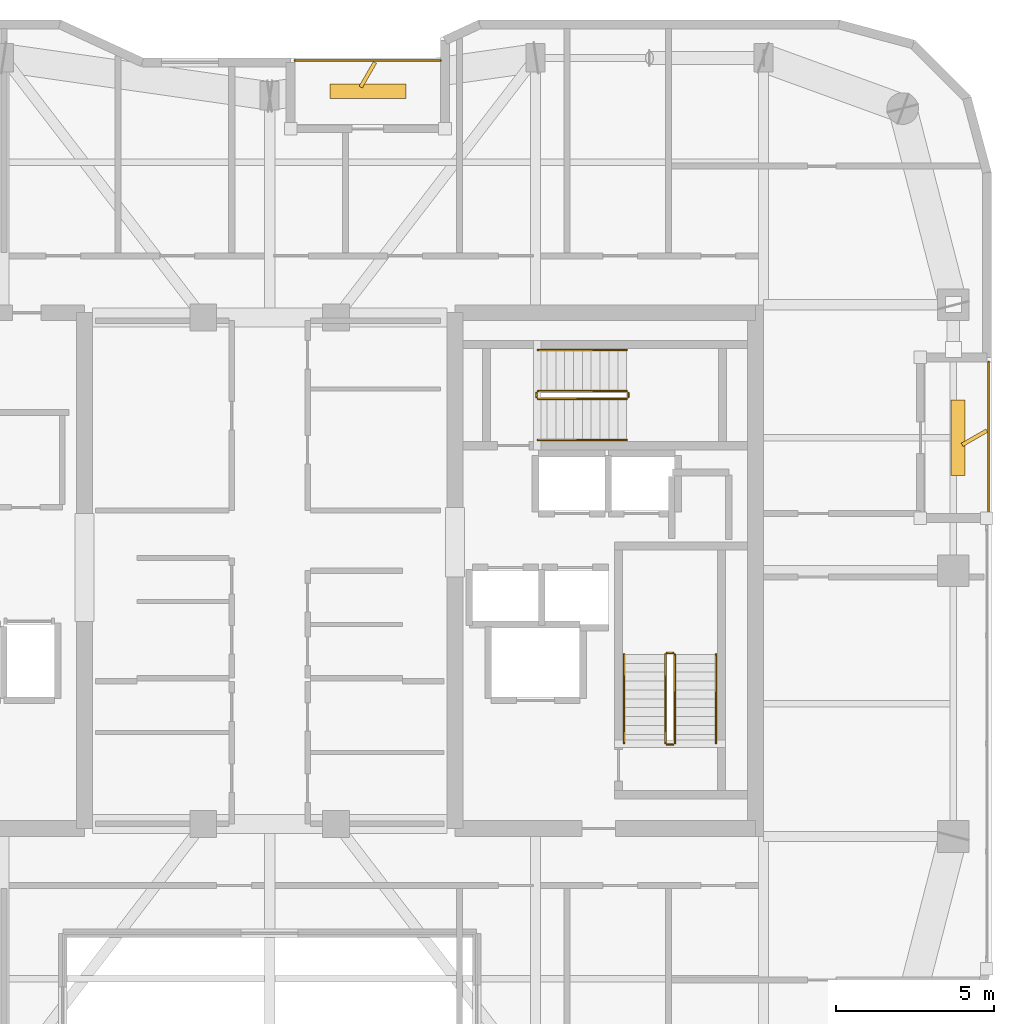
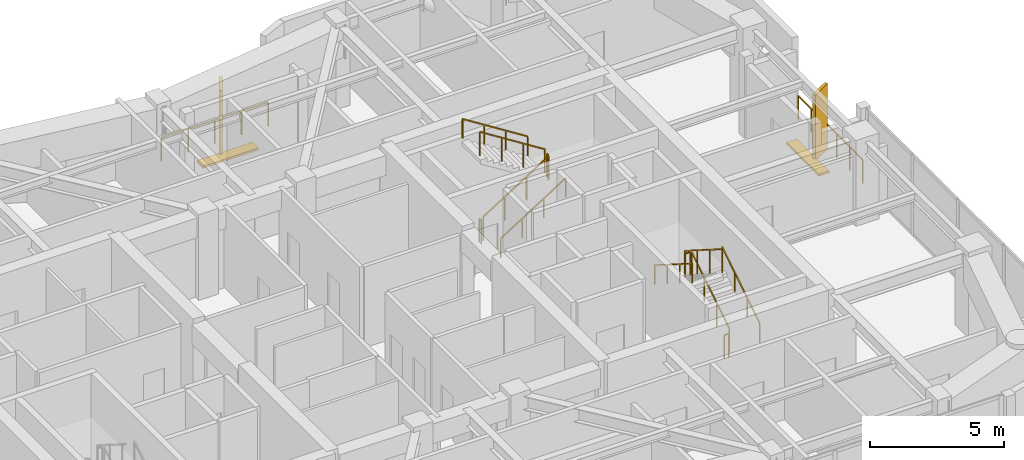
# One storey, part 16 of 16: 14 railings, 4 shading devices.
"""IFC4 building model written with IfcOpenShell, lengths in metres."""

from ifc_helpers import new_model, si_unit, direction, frame, origin, origin_2d, place, context, subcontext, project, spatial, rectangle, extrude, material, type_object, element, save


model = new_model("IFC4")

# Units and contexts
model_context = context("Model", 3, precision=1e-05, world=origin(), true_north=direction((0.0, 1.0)))
body_context = subcontext(model_context, "Body", "Model", "MODEL_VIEW")
ifc_project = project(units=[si_unit("LENGTHUNIT", "METRE"), si_unit("AREAUNIT", "SQUARE_METRE"), si_unit("VOLUMEUNIT", "CUBIC_METRE"), si_unit("PLANEANGLEUNIT", "RADIAN"), si_unit("MASSUNIT", "GRAM", prefix="KILO")], contexts=[model_context])

# Site, building, storey
site_placement = place(None, origin())
site = spatial("IfcSite", under=ifc_project, at=site_placement, CompositionType="ELEMENT")
building_placement = place(site_placement, origin())
building = spatial("IfcBuilding", under=site, at=building_placement, Name="Kiyonajd Concourse Tower", CompositionType="ELEMENT")
storey_placement = place(building_placement, frame((0.0, 0.0, 298.5)))
storey = spatial("IfcBuildingStorey", under=building, at=storey_placement, Name="L75", CompositionType="ELEMENT", Elevation=298.5)

# Railings
ifc_material_1 = material(Name="Thermally Broken Anodised Aluminium", Category="aluminium")
railing_type_1 = type_object("IfcRailingType", Name="RL-GRD-LOG", PredefinedType="GUARDRAIL", material=ifc_material_1)
railing_1_placement = place(storey_placement, frame((53.39990234375, 52.1201171875, 0.0)))
element("IfcRailing", 1, at=railing_1_placement, inside=storey, type_object=railing_type_1, Name="L75 Engawa Loggia Perimeter Guard LOG-N", PredefinedType="GUARDRAIL", context=body_context, shape_type="SweptSolid", body=[
    extrude(rectangle(XDim=0.048095703125, YDim=0.048095703125, at=origin_2d()), frame((0.0, 0.0, 1.076171875), z_axis=(-1.0, 0.0, 0.0), x_axis=(0.0, -1.0, 0.0)), (0.0, 0.0, 1.0), 4.599853515625),
    extrude(rectangle(XDim=0.0419921875, YDim=0.0419921875, at=origin_2d()), origin(), (0.0, 0.0, 1.0), 1.052001953125),
    extrude(rectangle(XDim=0.0419921875, YDim=0.0419921875, at=origin_2d()), frame((-1.14990234375, 0.0, 0.0)), (0.0, 0.0, 1.0), 1.052001953125),
    extrude(rectangle(XDim=0.0419921875, YDim=0.0419921875, at=origin_2d()), frame((-2.2998046875, 0.0, 0.0)), (0.0, 0.0, 1.0), 1.052001953125),
    extrude(rectangle(XDim=0.0419921875, YDim=0.0419921875, at=origin_2d()), frame((-3.449951171875, 0.0, 0.0)), (0.0, 0.0, 1.0), 1.052001953125),
    extrude(rectangle(XDim=0.0419921875, YDim=0.0419921875, at=origin_2d()), frame((-4.599853515625, 0.0, 0.0)), (0.0, 0.0, 1.0), 1.052001953125),
])
railing_2_placement = place(storey_placement, frame((70.719970703125, 37.800048828125, 0.0)))
element("IfcRailing", 2, at=railing_2_placement, inside=storey, type_object=railing_type_1, Name="L75 Engawa Loggia Perimeter Guard LOG-E", PredefinedType="GUARDRAIL", context=body_context, shape_type="SweptSolid", body=[
    extrude(rectangle(XDim=0.048095703125, YDim=0.048095703125, at=origin_2d()), frame((0.0, 0.0, 1.076171875), z_axis=(0.0, 1.0, 0.0), x_axis=(-1.0, 0.0, 0.0)), (0.0, 0.0, 1.0), 4.800048828125),
    extrude(rectangle(XDim=0.0419921875, YDim=0.0419921875, at=origin_2d()), origin(), (0.0, 0.0, 1.0), 1.052001953125),
    extrude(rectangle(XDim=0.0419921875, YDim=0.0419921875, at=origin_2d()), frame((0.0, 0.9599609375, 0.0)), (0.0, 0.0, 1.0), 1.052001953125),
    extrude(rectangle(XDim=0.0419921875, YDim=0.0419921875, at=origin_2d()), frame((0.0, 1.919921875, 0.0)), (0.0, 0.0, 1.0), 1.052001953125),
    extrude(rectangle(XDim=0.0419921875, YDim=0.0419921875, at=origin_2d()), frame((0.0, 2.880126953125, 0.0)), (0.0, 0.0, 1.0), 1.052001953125),
    extrude(rectangle(XDim=0.0419921875, YDim=0.0419921875, at=origin_2d()), frame((0.0, 3.840087890625, 0.0)), (0.0, 0.0, 1.0), 1.052001953125),
    extrude(rectangle(XDim=0.0419921875, YDim=0.0419921875, at=origin_2d()), frame((0.0, 4.800048828125, 0.0)), (0.0, 0.0, 1.0), 1.052001953125),
])
ifc_material_2 = material(Name="Steel ASTM A500 Grade C", Category="steel")
railing_type_2 = type_object("IfcRailingType", Name="RL-GRD-STR", PredefinedType="GUARDRAIL", material=ifc_material_2)
railing_3_placement = place(storey_placement, frame((60.800048828125, 30.550048828125, 0.17724609375)))
element("IfcRailing", 3, at=railing_3_placement, inside=storey, type_object=railing_type_2, Name="L75 ST2 stair guard 1", PredefinedType="GUARDRAIL", context=body_context, shape_type="SweptSolid", body=[
    extrude(rectangle(XDim=0.048095703125, YDim=0.048095703125, at=origin_2d()), frame((0.0, 0.0, 1.076171875), z_axis=(0.0, 0.844908973607, 0.534910110503), x_axis=(-1.0, 0.0, 0.0)), (0.0, 0.0, 1.0), 3.31396484375),
    extrude(rectangle(XDim=0.0419921875, YDim=0.0419921875, at=origin_2d()), origin(), (0.0, 0.0, 1.0), 1.052001953125),
    extrude(rectangle(XDim=0.0419921875, YDim=0.0419921875, at=origin_2d()), frame((0.0, 0.933349609375, 0.5908203125)), (0.0, 0.0, 1.0), 1.052001953125),
    extrude(rectangle(XDim=0.0419921875, YDim=0.0419921875, at=origin_2d()), frame((0.0, 1.86669921875, 1.181884765625)), (0.0, 0.0, 1.0), 1.052001953125),
    extrude(rectangle(XDim=0.0419921875, YDim=0.0419921875, at=origin_2d()), frame((0.0, 2.800048828125, 1.772705078125)), (0.0, 0.0, 1.0), 1.052001953125),
])
railing_4_placement = place(storey_placement, frame((60.75, 33.39990234375, 1.949951171875)))
element("IfcRailing", 4, at=railing_4_placement, inside=storey, type_object=railing_type_2, Name="L75 ST2 stair guard 2", PredefinedType="GUARDRAIL", context=body_context, shape_type="SweptSolid", body=[
    extrude(rectangle(XDim=0.048095703125, YDim=0.048095703125, at=origin_2d()), frame((0.0, 0.0, 1.076171875), z_axis=(-1.0, 0.0, 0.0), x_axis=(0.0, -1.0, 0.0)), (0.0, 0.0, 1.0), 0.199951171875),
    extrude(rectangle(XDim=0.0419921875, YDim=0.0419921875, at=origin_2d()), origin(), (0.0, 0.0, 1.0), 1.052001953125),
    extrude(rectangle(XDim=0.0419921875, YDim=0.0419921875, at=origin_2d()), frame((-0.199951171875, 0.0, 0.0)), (0.0, 0.0, 1.0), 1.052001953125),
])
railing_5_placement = place(storey_placement, frame((60.5, 33.35009765625, 2.127197265625)))
element("IfcRailing", 5, at=railing_5_placement, inside=storey, type_object=railing_type_2, Name="L75 ST2 stair guard 3", PredefinedType="GUARDRAIL", context=body_context, shape_type="SweptSolid", body=[
    extrude(rectangle(XDim=0.048095703125, YDim=0.048095703125, at=origin_2d()), frame((0.0, 0.0, 1.076171875), z_axis=(0.0, -0.844908973607, 0.534910110503), x_axis=(1.0, 0.0, 0.0)), (0.0, 0.0, 1.0), 3.31396484375),
    extrude(rectangle(XDim=0.0419921875, YDim=0.0419921875, at=origin_2d()), origin(), (0.0, 0.0, 1.0), 1.052001953125),
    extrude(rectangle(XDim=0.0419921875, YDim=0.0419921875, at=origin_2d()), frame((0.0, -0.933349609375, 0.5908203125)), (0.0, 0.0, 1.0), 1.052001953125),
    extrude(rectangle(XDim=0.0419921875, YDim=0.0419921875, at=origin_2d()), frame((0.0, -1.86669921875, 1.181884765625)), (0.0, 0.0, 1.0), 1.052001953125),
    extrude(rectangle(XDim=0.0419921875, YDim=0.0419921875, at=origin_2d()), frame((0.0, -2.800048828125, 1.772705078125)), (0.0, 0.0, 1.0), 1.052001953125),
])
railing_6_placement = place(storey_placement, frame((60.75, 30.5, 0.0)))
element("IfcRailing", 6, at=railing_6_placement, inside=storey, type_object=railing_type_2, Name="L75 ST2 stair guard 4", PredefinedType="GUARDRAIL", context=body_context, shape_type="SweptSolid", body=[
    extrude(rectangle(XDim=0.048095703125, YDim=0.048095703125, at=origin_2d()), frame((0.0, 0.0, 1.076171875), z_axis=(-1.0, 0.0, 0.0), x_axis=(0.0, -1.0, 0.0)), (0.0, 0.0, 1.0), 0.199951171875),
    extrude(rectangle(XDim=0.0419921875, YDim=0.0419921875, at=origin_2d()), origin(), (0.0, 0.0, 1.0), 1.052001953125),
    extrude(rectangle(XDim=0.0419921875, YDim=0.0419921875, at=origin_2d()), frame((-0.199951171875, 0.0, 0.0)), (0.0, 0.0, 1.0), 1.052001953125),
])
railing_7_placement = place(storey_placement, frame((56.47998046875, 41.429931640625, 0.17724609375)))
element("IfcRailing", 7, at=railing_7_placement, inside=storey, type_object=railing_type_2, Name="L75 ST3 stair guard 1", PredefinedType="GUARDRAIL", context=body_context, shape_type="SweptSolid", body=[
    extrude(rectangle(XDim=0.048095703125, YDim=0.048095703125, at=origin_2d()), frame((0.0, 0.0, 1.076171875), z_axis=(0.844908973607, 0.0, 0.534910110503), x_axis=(0.0, 1.0, 0.0)), (0.0, 0.0, 1.0), 3.31396484375),
    extrude(rectangle(XDim=0.0419921875, YDim=0.0419921875, at=origin_2d()), origin(), (0.0, 0.0, 1.0), 1.052001953125),
    extrude(rectangle(XDim=0.0419921875, YDim=0.0419921875, at=origin_2d()), frame((0.933349609375, 0.0, 0.5908203125)), (0.0, 0.0, 1.0), 1.052001953125),
    extrude(rectangle(XDim=0.0419921875, YDim=0.0419921875, at=origin_2d()), frame((1.86669921875, 0.0, 1.181884765625)), (0.0, 0.0, 1.0), 1.052001953125),
    extrude(rectangle(XDim=0.0419921875, YDim=0.0419921875, at=origin_2d()), frame((2.800048828125, 0.0, 1.772705078125)), (0.0, 0.0, 1.0), 1.052001953125),
])
railing_8_placement = place(storey_placement, frame((59.330078125, 41.47998046875, 1.949951171875)))
element("IfcRailing", 8, at=railing_8_placement, inside=storey, type_object=railing_type_2, Name="L75 ST3 stair guard 2", PredefinedType="GUARDRAIL", context=body_context, shape_type="SweptSolid", body=[
    extrude(rectangle(XDim=0.048095703125, YDim=0.048095703125, at=origin_2d()), frame((0.0, 0.0, 1.076171875), z_axis=(0.0, 1.0, 0.0), x_axis=(-1.0, 0.0, 0.0)), (0.0, 0.0, 1.0), 0.14013671875),
    extrude(rectangle(XDim=0.0419921875, YDim=0.0419921875, at=origin_2d()), origin(), (0.0, 0.0, 1.0), 1.052001953125),
    extrude(rectangle(XDim=0.0419921875, YDim=0.0419921875, at=origin_2d()), frame((0.0, 0.14013671875, 0.0)), (0.0, 0.0, 1.0), 1.052001953125),
])
railing_9_placement = place(storey_placement, frame((59.280029296875, 41.669921875, 2.127197265625)))
element("IfcRailing", 9, at=railing_9_placement, inside=storey, type_object=railing_type_2, Name="L75 ST3 stair guard 3", PredefinedType="GUARDRAIL", context=body_context, shape_type="SweptSolid", body=[
    extrude(rectangle(XDim=0.048095703125, YDim=0.048095703125, at=origin_2d()), frame((0.0, 0.0, 1.076171875), z_axis=(-0.844908973607, 0.0, 0.534910110503), x_axis=(0.0, -1.0, 0.0)), (0.0, 0.0, 1.0), 3.31396484375),
    extrude(rectangle(XDim=0.0419921875, YDim=0.0419921875, at=origin_2d()), origin(), (0.0, 0.0, 1.0), 1.052001953125),
    extrude(rectangle(XDim=0.0419921875, YDim=0.0419921875, at=origin_2d()), frame((-0.933349609375, 0.0, 0.5908203125)), (0.0, 0.0, 1.0), 1.052001953125),
    extrude(rectangle(XDim=0.0419921875, YDim=0.0419921875, at=origin_2d()), frame((-1.86669921875, 0.0, 1.181884765625)), (0.0, 0.0, 1.0), 1.052001953125),
    extrude(rectangle(XDim=0.0419921875, YDim=0.0419921875, at=origin_2d()), frame((-2.800048828125, 0.0, 1.772705078125)), (0.0, 0.0, 1.0), 1.052001953125),
])
railing_10_placement = place(storey_placement, frame((56.429931640625, 41.47998046875, 0.0)))
element("IfcRailing", 10, at=railing_10_placement, inside=storey, type_object=railing_type_2, Name="L75 ST3 stair guard 4", PredefinedType="GUARDRAIL", context=body_context, shape_type="SweptSolid", body=[
    extrude(rectangle(XDim=0.048095703125, YDim=0.048095703125, at=origin_2d()), frame((0.0, 0.0, 1.076171875), z_axis=(0.0, 1.0, 0.0), x_axis=(-1.0, 0.0, 0.0)), (0.0, 0.0, 1.0), 0.14013671875),
    extrude(rectangle(XDim=0.0419921875, YDim=0.0419921875, at=origin_2d()), origin(), (0.0, 0.0, 1.0), 1.052001953125),
    extrude(rectangle(XDim=0.0419921875, YDim=0.0419921875, at=origin_2d()), frame((0.0, 0.14013671875, 0.0)), (0.0, 0.0, 1.0), 1.052001953125),
])
ifc_material_3 = material(Name="Brushed Stainless Steel Cab Assembly", Category="steel")
railing_type_3 = type_object("IfcRailingType", Name="RL-HND-900", PredefinedType="HANDRAIL", material=ifc_material_3)
railing_11_placement = place(storey_placement, frame((62.10009765625, 30.550048828125, 0.17724609375)))
element("IfcRailing", 11, at=railing_11_placement, inside=storey, type_object=railing_type_3, Name="L75 ST2 stair handrail 1", PredefinedType="HANDRAIL", context=body_context, shape_type="SweptSolid", body=[
    extrude(rectangle(XDim=0.048095703125, YDim=0.048095703125, at=origin_2d()), frame((0.0, 0.0, 0.8759765625), z_axis=(0.0, 0.844908973607, 0.534910110503), x_axis=(-1.0, 0.0, 0.0)), (0.0, 0.0, 1.0), 3.31396484375),
    extrude(rectangle(XDim=0.0419921875, YDim=0.0419921875, at=origin_2d()), origin(), (0.0, 0.0, 1.0), 0.851806640625),
    extrude(rectangle(XDim=0.0419921875, YDim=0.0419921875, at=origin_2d()), frame((0.0, 0.933349609375, 0.5908203125)), (0.0, 0.0, 1.0), 0.851806640625),
    extrude(rectangle(XDim=0.0419921875, YDim=0.0419921875, at=origin_2d()), frame((0.0, 1.86669921875, 1.181884765625)), (0.0, 0.0, 1.0), 0.851806640625),
    extrude(rectangle(XDim=0.0419921875, YDim=0.0419921875, at=origin_2d()), frame((0.0, 2.800048828125, 1.772705078125)), (0.0, 0.0, 1.0), 0.851806640625),
])
railing_12_placement = place(storey_placement, frame((59.199951171875, 33.35009765625, 2.127197265625)))
element("IfcRailing", 12, at=railing_12_placement, inside=storey, type_object=railing_type_3, Name="L75 ST2 stair handrail 2", PredefinedType="HANDRAIL", context=body_context, shape_type="SweptSolid", body=[
    extrude(rectangle(XDim=0.048095703125, YDim=0.048095703125, at=origin_2d()), frame((0.0, 0.0, 0.8759765625), z_axis=(0.0, -0.844908973607, 0.534910110503), x_axis=(1.0, 0.0, 0.0)), (0.0, 0.0, 1.0), 3.31396484375),
    extrude(rectangle(XDim=0.0419921875, YDim=0.0419921875, at=origin_2d()), origin(), (0.0, 0.0, 1.0), 0.851806640625),
    extrude(rectangle(XDim=0.0419921875, YDim=0.0419921875, at=origin_2d()), frame((0.0, -0.933349609375, 0.5908203125)), (0.0, 0.0, 1.0), 0.851806640625),
    extrude(rectangle(XDim=0.0419921875, YDim=0.0419921875, at=origin_2d()), frame((0.0, -1.86669921875, 1.181884765625)), (0.0, 0.0, 1.0), 0.851806640625),
    extrude(rectangle(XDim=0.0419921875, YDim=0.0419921875, at=origin_2d()), frame((0.0, -2.800048828125, 1.772705078125)), (0.0, 0.0, 1.0), 0.851806640625),
])
railing_13_placement = place(storey_placement, frame((56.47998046875, 40.1298828125, 0.17724609375)))
element("IfcRailing", 13, at=railing_13_placement, inside=storey, type_object=railing_type_3, Name="L75 ST3 stair handrail 1", PredefinedType="HANDRAIL", context=body_context, shape_type="SweptSolid", body=[
    extrude(rectangle(XDim=0.048095703125, YDim=0.048095703125, at=origin_2d()), frame((0.0, 0.0, 0.8759765625), z_axis=(0.844908973607, 0.0, 0.534910110503), x_axis=(0.0, 1.0, 0.0)), (0.0, 0.0, 1.0), 3.31396484375),
    extrude(rectangle(XDim=0.0419921875, YDim=0.0419921875, at=origin_2d()), origin(), (0.0, 0.0, 1.0), 0.851806640625),
    extrude(rectangle(XDim=0.0419921875, YDim=0.0419921875, at=origin_2d()), frame((0.933349609375, 0.0, 0.5908203125)), (0.0, 0.0, 1.0), 0.851806640625),
    extrude(rectangle(XDim=0.0419921875, YDim=0.0419921875, at=origin_2d()), frame((1.86669921875, 0.0, 1.181884765625)), (0.0, 0.0, 1.0), 0.851806640625),
    extrude(rectangle(XDim=0.0419921875, YDim=0.0419921875, at=origin_2d()), frame((2.800048828125, 0.0, 1.772705078125)), (0.0, 0.0, 1.0), 0.851806640625),
])
railing_14_placement = place(storey_placement, frame((59.280029296875, 42.969970703125, 2.127197265625)))
element("IfcRailing", 14, at=railing_14_placement, inside=storey, type_object=railing_type_3, Name="L75 ST3 stair handrail 2", PredefinedType="HANDRAIL", context=body_context, shape_type="SweptSolid", body=[
    extrude(rectangle(XDim=0.048095703125, YDim=0.048095703125, at=origin_2d()), frame((0.0, 0.0, 0.8759765625), z_axis=(-0.844908973607, 0.0, 0.534910110503), x_axis=(0.0, -1.0, 0.0)), (0.0, 0.0, 1.0), 3.31396484375),
    extrude(rectangle(XDim=0.0419921875, YDim=0.0419921875, at=origin_2d()), origin(), (0.0, 0.0, 1.0), 0.851806640625),
    extrude(rectangle(XDim=0.0419921875, YDim=0.0419921875, at=origin_2d()), frame((-0.933349609375, 0.0, 0.5908203125)), (0.0, 0.0, 1.0), 0.851806640625),
    extrude(rectangle(XDim=0.0419921875, YDim=0.0419921875, at=origin_2d()), frame((-1.86669921875, 0.0, 1.181884765625)), (0.0, 0.0, 1.0), 0.851806640625),
    extrude(rectangle(XDim=0.0419921875, YDim=0.0419921875, at=origin_2d()), frame((-2.800048828125, 0.0, 1.772705078125)), (0.0, 0.0, 1.0), 0.851806640625),
])

# Shading devices
ifc_material_4 = material(Name="Precast concrete C50/60", Category="concrete")
shading_device_type_1 = type_object("IfcShadingDeviceType", Name="SH-FIN-900", PredefinedType="USERDEFINED", material=ifc_material_4)
for number, where, z_axis, x_axis, name in (
    (15, (51.10009765625, 51.669921875, 0.0), (0.0, 0.0, 1.0), (0.5, 0.866025403784, 0.0), "L75 Angled Koshi Solar Fin LOG-N"),
    (16, (70.27001953125, 40.199951171875, 0.0), (0.0, 0.0, 1.0), (0.866025403784, 0.5, 0.0), "L75 Angled Koshi Solar Fin LOG-E"),
):
    element("IfcShadingDevice", number, at=place(storey_placement, frame(where, z_axis=z_axis, x_axis=x_axis)), inside=storey, type_object=shading_device_type_1, Name=name, ObjectType="FIN", PredefinedType="USERDEFINED", context=body_context, shape_type="SweptSolid", body=[
        extrude(rectangle(XDim=0.89990234375, YDim=0.1201171875, at=origin_2d()), origin(), (0.0, 0.0, 1.0), 3.0),
    ])
shading_device_type_2 = type_object("IfcShadingDeviceType", Name="SH-LVR-600", PredefinedType="JALOUSIE", material=ifc_material_1)
for number, where, z_axis, x_axis, name in (
    (17, (51.10009765625, 51.14990234375, 0.0), (0.0, 0.0, 1.0), (1.0, 0.0, 0.0), "L75 Loggia Threshold Louver LOG-N"),
    (18, (69.75, 40.199951171875, 0.0), (0.0, 0.0, 1.0), (0.0, 1.0, 0.0), "L75 Loggia Threshold Louver LOG-E"),
):
    element("IfcShadingDevice", number, at=place(storey_placement, frame(where, z_axis=z_axis, x_axis=x_axis)), inside=storey, type_object=shading_device_type_2, Name=name, PredefinedType="JALOUSIE", context=body_context, shape_type="SweptSolid", body=[
        extrude(rectangle(XDim=2.39990234375, YDim=0.449951171875, at=origin_2d()), origin(), (0.0, 0.0, 1.0), 0.10009765625),
    ])

save(model, "model.ifc")
